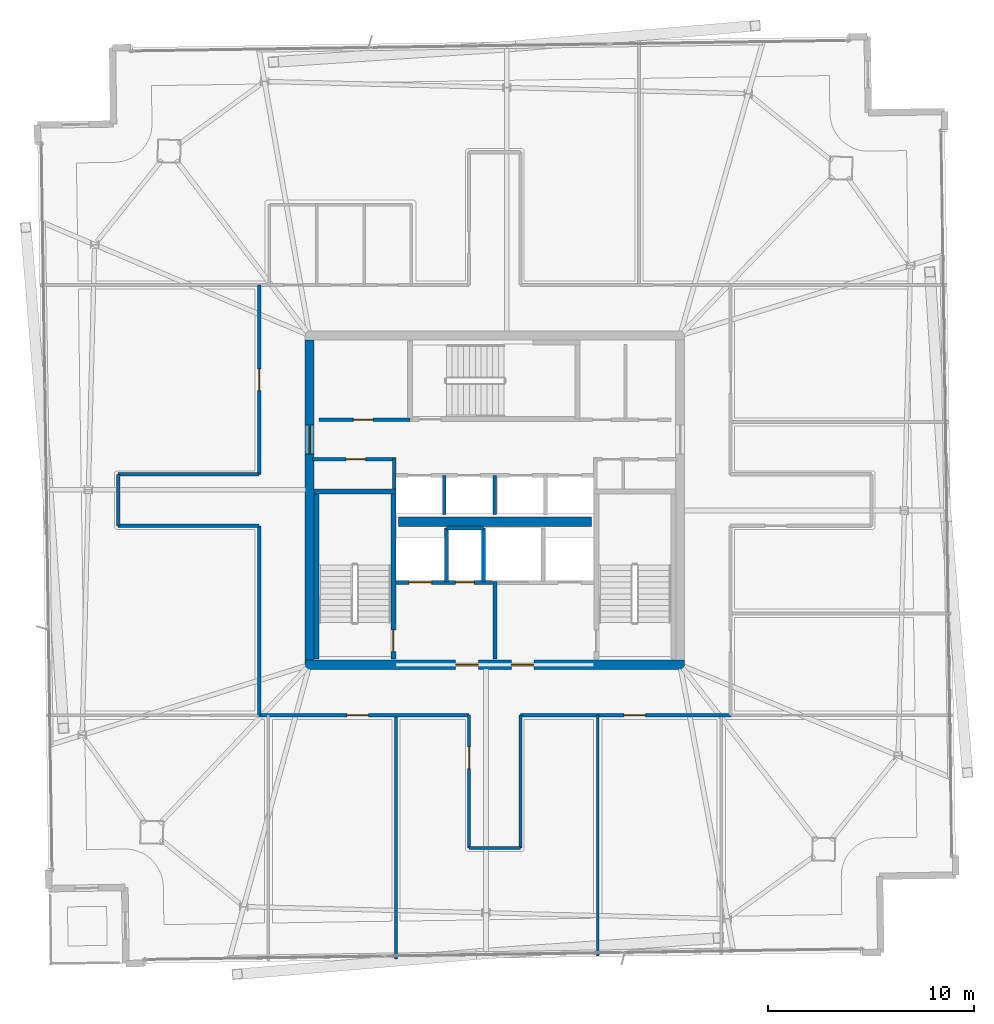
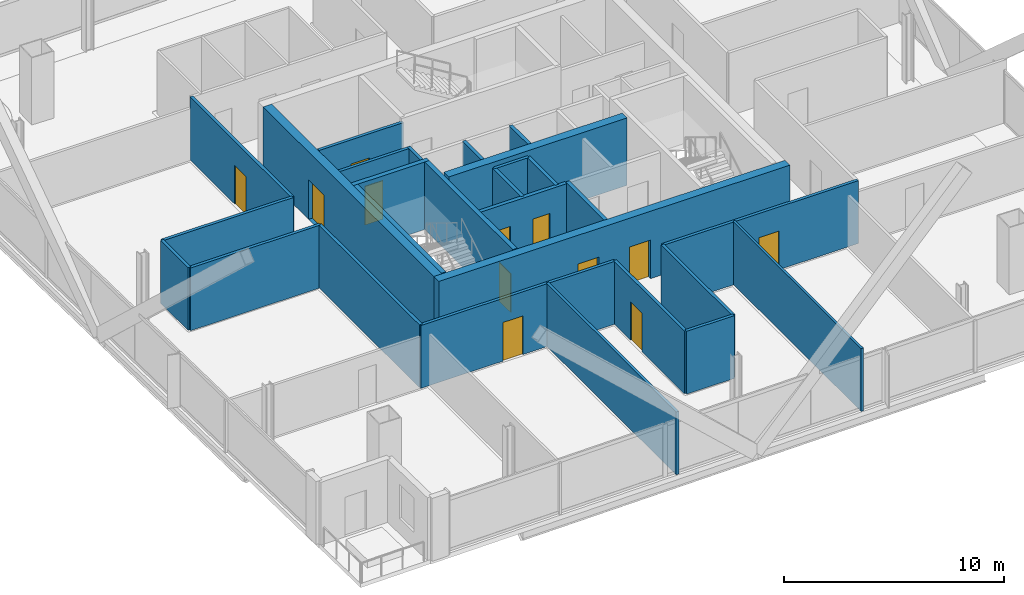
# One storey, part 20 of 25: 28 walls, 12 doors, 12 openings.
"""IFC4 building model written with IfcOpenShell, lengths in metres."""

from ifc_helpers import new_model, si_unit, direction, frame, frame_2d, origin, place, context, subcontext, project, spatial, rectangle, extrude, material, layer, layer_set, type_object, element, fill, save


model = new_model("IFC4")

# Units and contexts
model_context = context("Model", 3, precision=1e-05, world=origin(), true_north=direction((0.0, 1.0)))
body_context = subcontext(model_context, "Body", "Model", "MODEL_VIEW")
ifc_project = project(units=[si_unit("LENGTHUNIT", "METRE"), si_unit("AREAUNIT", "SQUARE_METRE"), si_unit("VOLUMEUNIT", "CUBIC_METRE"), si_unit("PLANEANGLEUNIT", "RADIAN"), si_unit("MASSUNIT", "GRAM", prefix="KILO")], contexts=[model_context])

# Site, building, storey
site_placement = place(None, origin())
site = spatial("IfcSite", under=ifc_project, at=site_placement, CompositionType="ELEMENT")
building_placement = place(site_placement, origin())
building = spatial("IfcBuilding", under=site, at=building_placement, Name="Haldenkirk Collegiate Tower", CompositionType="ELEMENT")
storey_placement = place(building_placement, frame((0.0, 0.0, 332.699951171875)))
storey = spatial("IfcBuildingStorey", under=building, at=storey_placement, Name="L84", CompositionType="ELEMENT", Elevation=332.699951171875)

# Wall, openings, doors
ifc_material_1 = material(Name="Concrete f'c 55 MPa", Category="concrete")
ifc_layer_1 = layer(ifc_material_1, 0.449951171875)
ifc_layer_set_1 = layer_set([ifc_layer_1], Name="Concrete f'c 55 MPa")
wall_type_1 = type_object("IfcWallType", Name="WL-CORE-450", PredefinedType="SHEAR", material=ifc_layer_set_1)
wall_1_placement = place(storey_placement, frame((26.77490234375, 18.0, 0.0), z_axis=(0.0, 0.0, 1.0), x_axis=(1.0, 0.0, 0.0)))
wall_1 = element("IfcWall", 1, at=wall_1_placement, inside=storey, type_object=wall_type_1, Name="L84 central core shear wall S", PredefinedType="SHEAR", context=body_context, shape_type="SweptSolid", body=[
    extrude(rectangle(XDim=18.4501953125, YDim=0.449951171875, at=frame_2d((9.22509765625, 0.0))), origin(), (0.0, 0.0, 1.0), 3.75),
])
opening_1_placement = place(wall_1_placement, frame((7.324951171875, 0.0, 0.0)))
opening_1 = element("IfcOpeningElement", 2, at=opening_1_placement, cuts=wall_1, Name="Opening D-02", PredefinedType="OPENING", context=body_context, shape_type="SweptSolid", body=[
    extrude(rectangle(XDim=1.10009765625, YDim=2.14990234375, at=frame_2d((0.550048828125, 1.074951171875))), frame((0.0, 0.23486328125, 0.0), z_axis=(0.0, -1.0, 0.0), x_axis=(1.0, 0.0, 0.0)), (0.0, 0.0, 1.0), 0.469970703125),
])
opening_2_placement = place(wall_1_placement, frame((10.02490234375, 0.0, 0.0)))
opening_2 = element("IfcOpeningElement", 3, at=opening_2_placement, cuts=wall_1, Name="Opening D-02", PredefinedType="OPENING", context=body_context, shape_type="SweptSolid", body=[
    extrude(rectangle(XDim=1.10009765625, YDim=2.14990234375, at=frame_2d((0.550048828125, 1.074951171875))), frame((0.0, 0.23486328125, 0.0), z_axis=(0.0, -1.0, 0.0), x_axis=(1.0, 0.0, 0.0)), (0.0, 0.0, 1.0), 0.469970703125),
])
ifc_material_2 = material(Name="Galvanized fire-rated hollow steel door", Category="steel")
ifc_layer_2 = layer(ifc_material_2, 0.06005859375)
ifc_layer_set_2 = layer_set([ifc_layer_2], Name="Galvanized fire-rated hollow steel door")
door_type_1 = type_object("IfcDoorType", Name="DR-STAIR-FD90-1100", OperationType="NOTDEFINED", PredefinedType="DOOR", material=ifc_layer_set_2)
door_1_placement = place(opening_1_placement, origin())
door_1 = element("IfcDoor", 4, at=door_1_placement, inside=storey, type_object=door_type_1, Name="L84 Firefighting Lobby 1 door", OperationType="SINGLE_SWING_LEFT", OverallHeight=2.14990234375, OverallWidth=1.10009765625, PredefinedType="DOOR", context=body_context, shape_type="SweptSolid", body=[
    extrude(rectangle(XDim=1.10009765625, YDim=2.14990234375, at=frame_2d((0.550048828125, 1.074951171875))), frame((0.0, 0.02490234375, 0.0), z_axis=(0.0, -1.0, 0.0), x_axis=(1.0, 0.0, 0.0)), (0.0, 0.0, 1.0), 0.050048828125),
])
fill(opening_1, door_1)
door_2_placement = place(opening_2_placement, origin())
door_2 = element("IfcDoor", 5, at=door_2_placement, inside=storey, type_object=door_type_1, Name="L84 Firefighting Lobby 2 door", OperationType="SINGLE_SWING_RIGHT", OverallHeight=2.14990234375, OverallWidth=1.10009765625, PredefinedType="DOOR", context=body_context, shape_type="SweptSolid", body=[
    extrude(rectangle(XDim=1.10009765625, YDim=2.14990234375, at=frame_2d((0.550048828125, 1.074951171875))), frame((0.0, 0.02490234375, 0.0), z_axis=(0.0, -1.0, 0.0), x_axis=(1.0, 0.0, 0.0)), (0.0, 0.0, 1.0), 0.050048828125),
])
fill(opening_2, door_2)

# Wall, opening, door
wall_2_placement = place(storey_placement, frame((27.0, 18.22509765625, 0.0), z_axis=(0.0, 0.0, 1.0), x_axis=(0.0, 1.0, 0.0)))
wall_2 = element("IfcWall", 6, at=wall_2_placement, inside=storey, type_object=wall_type_1, Name="L84 central core shear wall W", PredefinedType="SHEAR", context=body_context, shape_type="SweptSolid", body=[
    extrude(rectangle(XDim=15.5498046875, YDim=0.449951171875, at=frame_2d((7.77490234375, 0.0))), origin(), (0.0, 0.0, 1.0), 3.75),
])
opening_3_placement = place(wall_2_placement, frame((10.014892578125, 0.0, 0.0)))
opening_3 = element("IfcOpeningElement", 7, at=opening_3_placement, cuts=wall_2, Name="Opening D-03", PredefinedType="OPENING", context=body_context, shape_type="SweptSolid", body=[
    extrude(rectangle(XDim=1.39990234375, YDim=2.199951171875, at=frame_2d((0.699951171875, 1.10009765625))), frame((0.0, 0.23486328125, 0.0), z_axis=(0.0, -1.0, 0.0), x_axis=(1.0, 0.0, 0.0)), (0.0, 0.0, 1.0), 0.469970703125),
])
ifc_layer_3 = layer(ifc_material_2, 0.06005859375)
ifc_layer_set_3 = layer_set([ifc_layer_3], Name="Galvanized fire-rated hollow steel door")
door_type_2 = type_object("IfcDoorType", Name="DR-LOBBY-FD90-1400", OperationType="NOTDEFINED", PredefinedType="DOOR", material=ifc_layer_set_3)
door_3_placement = place(opening_3_placement, origin())
door_3 = element("IfcDoor", 8, at=door_3_placement, inside=storey, type_object=door_type_2, Name="L84 west lift lobby portal", OperationType="DOUBLE_DOOR_SINGLE_SWING", OverallHeight=2.199951171875, OverallWidth=1.39990234375, PredefinedType="DOOR", context=body_context, shape_type="SweptSolid", body=[
    extrude(rectangle(XDim=1.39990234375, YDim=2.199951171875, at=frame_2d((0.699951171875, 1.10009765625))), frame((0.0, 0.02490234375, 0.0), z_axis=(0.0, -1.0, 0.0), x_axis=(1.0, 0.0, 0.0)), (0.0, 0.0, 1.0), 0.050048828125),
])
fill(opening_3, door_3)

# Wall
wall_3_placement = place(storey_placement, frame((31.31005859375, 24.949951171875, 0.0), z_axis=(0.0, 0.0, 1.0), x_axis=(1.0, 0.0, 0.0)))
element("IfcWall", 9, at=wall_3_placement, inside=storey, type_object=wall_type_1, Name="L84 central core spine shear wall", PredefinedType="SHEAR", context=body_context, shape_type="SweptSolid", body=[
    extrude(rectangle(XDim=9.3798828125, YDim=0.449951171875, at=frame_2d((4.68994140625, 0.0))), origin(), (0.0, 0.0, 1.0), 3.75),
])

# Wall, opening, door
ifc_material_3 = material(Name="Acoustic fire-rated gypsum partition", Category="concrete")
ifc_layer_4 = layer(ifc_material_3, 0.159912109375)
ifc_layer_set_4 = layer_set([ifc_layer_4], Name="Acoustic fire-rated gypsum partition")
wall_type_2 = type_object("IfcWallType", Name="WL-INT-CORR-160", PredefinedType="PARTITIONING", material=ifc_layer_set_4)
wall_4_placement = place(storey_placement, frame((27.14990234375, 27.97998046875, 0.0), z_axis=(0.0, 0.0, 1.0), x_axis=(1.0, 0.0, 0.0)))
wall_4 = element("IfcWall", 10, at=wall_4_placement, inside=storey, type_object=wall_type_2, Name="L84 interior partition IW-L84-VCSW-N", PredefinedType="PARTITIONING", context=body_context, shape_type="SweptSolid", body=[
    extrude(rectangle(XDim=4.050048828125, YDim=0.159912109375, at=frame_2d((2.02490234375, 0.0))), origin(), (0.0, 0.0, 1.0), 3.489990234375),
])
opening_4_placement = place(wall_4_placement, frame((1.625, 0.0, 0.0)))
opening_4 = element("IfcOpeningElement", 11, at=opening_4_placement, cuts=wall_4, Name="Opening D-10", PredefinedType="OPENING", context=body_context, shape_type="SweptSolid", body=[
    extrude(rectangle(XDim=0.949951171875, YDim=2.14990234375, at=frame_2d((0.47509765625, 1.074951171875))), frame((0.0, 0.08984375, 0.0), z_axis=(0.0, -1.0, 0.0), x_axis=(1.0, 0.0, 0.0)), (0.0, 0.0, 1.0), 0.179931640625),
])
ifc_material_4 = material(Name="Solid-core architectural oak fire door", Category="wood")
ifc_layer_5 = layer(ifc_material_4, 0.06005859375)
ifc_layer_set_5 = layer_set([ifc_layer_5], Name="Solid-core architectural oak fire door")
door_type_3 = type_object("IfcDoorType", Name="DR-INT-FD60-950", OperationType="NOTDEFINED", PredefinedType="DOOR", material=ifc_layer_set_5)
door_4_placement = place(opening_4_placement, origin())
door_4 = element("IfcDoor", 12, at=door_4_placement, inside=storey, type_object=door_type_3, Name="L84 core tea pantry door", OperationType="SINGLE_SWING_RIGHT", OverallHeight=2.14990234375, OverallWidth=0.949951171875, PredefinedType="DOOR", context=body_context, shape_type="SweptSolid", body=[
    extrude(rectangle(XDim=0.949951171875, YDim=2.14990234375, at=frame_2d((0.47509765625, 1.074951171875))), frame((0.0, 0.02490234375, 0.0), z_axis=(0.0, -1.0, 0.0), x_axis=(1.0, 0.0, 0.0)), (0.0, 0.0, 1.0), 0.050048828125),
])
fill(opening_4, door_4)

# Wall
wall_5_placement = place(storey_placement, frame((31.1201171875, 26.5400390625, 0.0), z_axis=(0.0, 0.0, 1.0), x_axis=(0.0, 1.0, 0.0)))
element("IfcWall", 13, at=wall_5_placement, inside=storey, type_object=wall_type_2, Name="L84 interior partition IW-L84-VCSW-E", PredefinedType="PARTITIONING", context=body_context, shape_type="SweptSolid", body=[
    extrude(rectangle(XDim=1.510009765625, YDim=0.159912109375, at=frame_2d((0.7548828125, 0.0))), origin(), (0.0, 0.0, 1.0), 3.489990234375),
])

# Wall, opening, door
wall_6_placement = place(storey_placement, frame((27.449951171875, 29.89990234375, 0.0), z_axis=(0.0, 0.0, 1.0), x_axis=(1.0, 0.0, 0.0)))
wall_6 = element("IfcWall", 14, at=wall_6_placement, inside=storey, type_object=wall_type_2, Name="L84 interior partition IW-L84-PLS", PredefinedType="PARTITIONING", context=body_context, shape_type="SweptSolid", body=[
    extrude(rectangle(XDim=4.429931640625, YDim=0.159912109375, at=frame_2d((2.21484375, 0.0))), origin(), (0.0, 0.0, 1.0), 3.489990234375),
])
opening_5_placement = place(wall_6_placement, frame((1.675048828125, 0.0, 0.0)))
opening_5 = element("IfcOpeningElement", 15, at=opening_5_placement, cuts=wall_6, Name="Opening D-10", PredefinedType="OPENING", context=body_context, shape_type="SweptSolid", body=[
    extrude(rectangle(XDim=0.949951171875, YDim=2.14990234375, at=frame_2d((0.47509765625, 1.074951171875))), frame((0.0, 0.08984375, 0.0), z_axis=(0.0, -1.0, 0.0), x_axis=(1.0, 0.0, 0.0)), (0.0, 0.0, 1.0), 0.179931640625),
])
door_5_placement = place(opening_5_placement, origin())
door_5 = element("IfcDoor", 16, at=door_5_placement, inside=storey, type_object=door_type_3, Name="L84 archive door", OperationType="SINGLE_SWING_LEFT", OverallHeight=2.14990234375, OverallWidth=0.949951171875, PredefinedType="DOOR", context=body_context, shape_type="SweptSolid", body=[
    extrude(rectangle(XDim=0.949951171875, YDim=2.14990234375, at=frame_2d((0.47509765625, 1.074951171875))), frame((0.0, 0.02490234375, 0.0), z_axis=(0.0, -1.0, 0.0), x_axis=(1.0, 0.0, 0.0)), (0.0, 0.0, 1.0), 0.050048828125),
])
fill(opening_5, door_5)

wall_7_placement = place(storey_placement, frame((24.5, 15.550048828125, 0.0), z_axis=(0.0, 0.0, 1.0), x_axis=(1.0, 0.0, 0.0)))
wall_7 = element("IfcWall", 17, at=wall_7_placement, inside=storey, type_object=wall_type_2, Name="L84 interior partition IW-L84-CS1", PredefinedType="PARTITIONING", context=body_context, shape_type="SweptSolid", body=[
    extrude(rectangle(XDim=10.25, YDim=0.159912109375, at=frame_2d((5.125, 0.0))), origin(), (0.0, 0.0, 1.0), 3.489990234375),
])
opening_6_placement = place(wall_7_placement, frame((4.31103515625, 0.0, 0.0)))
opening_6 = element("IfcOpeningElement", 18, at=opening_6_placement, cuts=wall_7, Name="Opening D-09", PredefinedType="OPENING", context=body_context, shape_type="SweptSolid", body=[
    extrude(rectangle(XDim=1.050048828125, YDim=2.14990234375, at=frame_2d((0.52490234375, 1.074951171875))), frame((0.0, 0.08984375, 0.0), z_axis=(0.0, -1.0, 0.0), x_axis=(1.0, 0.0, 0.0)), (0.0, 0.0, 1.0), 0.179931640625),
])
ifc_layer_6 = layer(ifc_material_4, 0.06005859375)
ifc_layer_set_6 = layer_set([ifc_layer_6], Name="Solid-core architectural oak fire door")
door_type_4 = type_object("IfcDoorType", Name="DR-INT-FD60-1050", OperationType="NOTDEFINED", PredefinedType="DOOR", material=ifc_layer_set_6)
door_6_placement = place(opening_6_placement, origin())
door_6 = element("IfcDoor", 19, at=door_6_placement, inside=storey, type_object=door_type_4, Name="L84 Computational Design Studio 2 door", OperationType="SINGLE_SWING_RIGHT", OverallHeight=2.14990234375, OverallWidth=1.050048828125, PredefinedType="DOOR", context=body_context, shape_type="SweptSolid", body=[
    extrude(rectangle(XDim=1.050048828125, YDim=2.14990234375, at=frame_2d((0.52490234375, 1.074951171875))), frame((0.0, 0.02490234375, 0.0), z_axis=(0.0, -1.0, 0.0), x_axis=(1.0, 0.0, 0.0)), (0.0, 0.0, 1.0), 0.050048828125),
])
fill(opening_6, door_6)

wall_8_placement = place(storey_placement, frame((37.25, 15.550048828125, 0.0), z_axis=(0.0, 0.0, 1.0), x_axis=(1.0, 0.0, 0.0)))
wall_8 = element("IfcWall", 20, at=wall_8_placement, inside=storey, type_object=wall_type_2, Name="L84 interior partition IW-L84-CS2", PredefinedType="PARTITIONING", context=body_context, shape_type="SweptSolid", body=[
    extrude(rectangle(XDim=10.25, YDim=0.159912109375, at=frame_2d((5.125, 0.0))), origin(), (0.0, 0.0, 1.0), 3.489990234375),
])
opening_7_placement = place(wall_8_placement, frame((5.02490234375, 0.0, 0.0)))
opening_7 = element("IfcOpeningElement", 21, at=opening_7_placement, cuts=wall_8, Name="Opening D-09", PredefinedType="OPENING", context=body_context, shape_type="SweptSolid", body=[
    extrude(rectangle(XDim=1.050048828125, YDim=2.14990234375, at=frame_2d((0.52490234375, 1.074951171875))), frame((0.0, 0.08984375, 0.0), z_axis=(0.0, -1.0, 0.0), x_axis=(1.0, 0.0, 0.0)), (0.0, 0.0, 1.0), 0.179931640625),
])
door_7_placement = place(opening_7_placement, origin())
door_7 = element("IfcDoor", 22, at=door_7_placement, inside=storey, type_object=door_type_4, Name="L84 Environmental Lab 4 door", OperationType="SINGLE_SWING_RIGHT", OverallHeight=2.14990234375, OverallWidth=1.050048828125, PredefinedType="DOOR", context=body_context, shape_type="SweptSolid", body=[
    extrude(rectangle(XDim=1.050048828125, YDim=2.14990234375, at=frame_2d((0.52490234375, 1.074951171875))), frame((0.0, 0.02490234375, 0.0), z_axis=(0.0, -1.0, 0.0), x_axis=(1.0, 0.0, 0.0)), (0.0, 0.0, 1.0), 0.050048828125),
])
fill(opening_7, door_7)

# Wall
wall_9_placement = place(storey_placement, frame((24.550048828125, 15.550048828125, 0.0), z_axis=(0.0, 0.0, 1.0), x_axis=(0.0, 1.0, 0.0)))
element("IfcWall", 23, at=wall_9_placement, inside=storey, type_object=wall_type_2, Name="L84 interior partition IW-L84-CW1", PredefinedType="PARTITIONING", context=body_context, shape_type="SweptSolid", body=[
    extrude(rectangle(XDim=9.199951171875, YDim=0.159912109375, at=frame_2d((4.60009765625, 0.0))), origin(), (0.0, 0.0, 1.0), 3.489990234375),
])

# Wall, opening, door
wall_10_placement = place(storey_placement, frame((24.550048828125, 27.25, 0.0), z_axis=(0.0, 0.0, 1.0), x_axis=(0.0, 1.0, 0.0)))
wall_10 = element("IfcWall", 24, at=wall_10_placement, inside=storey, type_object=wall_type_2, Name="L84 interior partition IW-L84-CW2", PredefinedType="PARTITIONING", context=body_context, shape_type="SweptSolid", body=[
    extrude(rectangle(XDim=9.199951171875, YDim=0.159912109375, at=frame_2d((4.60009765625, 0.0))), origin(), (0.0, 0.0, 1.0), 3.489990234375),
])
opening_8_placement = place(wall_10_placement, frame((4.074951171875, 0.0, 0.0)))
opening_8 = element("IfcOpeningElement", 25, at=opening_8_placement, cuts=wall_10, Name="Opening D-09", PredefinedType="OPENING", context=body_context, shape_type="SweptSolid", body=[
    extrude(rectangle(XDim=1.050048828125, YDim=2.14990234375, at=frame_2d((0.52490234375, 1.074951171875))), frame((0.0, 0.08984375, 0.0), z_axis=(0.0, -1.0, 0.0), x_axis=(1.0, 0.0, 0.0)), (0.0, 0.0, 1.0), 0.179931640625),
])
door_8_placement = place(opening_8_placement, origin())
door_8 = element("IfcDoor", 26, at=door_8_placement, inside=storey, type_object=door_type_4, Name="L84 Computational Design Studio 8 door", OperationType="SINGLE_SWING_RIGHT", OverallHeight=2.14990234375, OverallWidth=1.050048828125, PredefinedType="DOOR", context=body_context, shape_type="SweptSolid", body=[
    extrude(rectangle(XDim=1.050048828125, YDim=2.14990234375, at=frame_2d((0.52490234375, 1.074951171875))), frame((0.0, 0.02490234375, 0.0), z_axis=(0.0, -1.0, 0.0), x_axis=(1.0, 0.0, 0.0)), (0.0, 0.0, 1.0), 0.050048828125),
])
fill(opening_8, door_8)

wall_11_placement = place(storey_placement, frame((34.75, 9.10009765625, 0.0), z_axis=(0.0, 0.0, 1.0), x_axis=(0.0, 1.0, 0.0)))
wall_11 = element("IfcWall", 27, at=wall_11_placement, inside=storey, type_object=wall_type_2, Name="L84 interior partition IW-L84-SPW", PredefinedType="PARTITIONING", context=body_context, shape_type="SweptSolid", body=[
    extrude(rectangle(XDim=6.449951171875, YDim=0.159912109375, at=frame_2d((3.22509765625, 0.0))), origin(), (0.0, 0.0, 1.0), 3.489990234375),
])
opening_9_placement = place(wall_11_placement, frame((3.861083984375, 0.0, 0.0)))
opening_9 = element("IfcOpeningElement", 28, at=opening_9_placement, cuts=wall_11, Name="Opening D-09", PredefinedType="OPENING", context=body_context, shape_type="SweptSolid", body=[
    extrude(rectangle(XDim=1.050048828125, YDim=2.14990234375, at=frame_2d((0.52490234375, 1.074951171875))), frame((0.0, 0.08984375, 0.0), z_axis=(0.0, -1.0, 0.0), x_axis=(1.0, 0.0, 0.0)), (0.0, 0.0, 1.0), 0.179931640625),
])
door_9_placement = place(opening_9_placement, origin())
door_9 = element("IfcDoor", 29, at=door_9_placement, inside=storey, type_object=door_type_4, Name="L84 Robotics Fabrication Lab 3 door", OperationType="SINGLE_SWING_LEFT", OverallHeight=2.14990234375, OverallWidth=1.050048828125, PredefinedType="DOOR", context=body_context, shape_type="SweptSolid", body=[
    extrude(rectangle(XDim=1.050048828125, YDim=2.14990234375, at=frame_2d((0.52490234375, 1.074951171875))), frame((0.0, 0.02490234375, 0.0), z_axis=(0.0, -1.0, 0.0), x_axis=(1.0, 0.0, 0.0)), (0.0, 0.0, 1.0), 0.050048828125),
])
fill(opening_9, door_9)

# Walls
wall_12_placement = place(storey_placement, frame((37.25, 9.10009765625, 0.0), z_axis=(0.0, 0.0, 1.0), x_axis=(0.0, 1.0, 0.0)))
element("IfcWall", 30, at=wall_12_placement, inside=storey, type_object=wall_type_2, Name="L84 interior partition IW-L84-SPE", PredefinedType="PARTITIONING", context=body_context, shape_type="SweptSolid", body=[
    extrude(rectangle(XDim=6.449951171875, YDim=0.159912109375, at=frame_2d((3.22509765625, 0.0))), origin(), (0.0, 0.0, 1.0), 3.489990234375),
])
wall_13_placement = place(storey_placement, frame((34.75, 9.10009765625, 0.0), z_axis=(0.0, 0.0, 1.0), x_axis=(1.0, 0.0, 0.0)))
element("IfcWall", 31, at=wall_13_placement, inside=storey, type_object=wall_type_2, Name="L84 interior partition IW-L84-SPS", PredefinedType="PARTITIONING", context=body_context, shape_type="SweptSolid", body=[
    extrude(rectangle(XDim=2.5, YDim=0.159912109375, at=frame_2d((1.25, 0.0))), origin(), (0.0, 0.0, 1.0), 3.489990234375),
])
for number, where, z_axis, x_axis, name in (
    (32, (17.699951171875, 24.75, 0.0), (0.0, 0.0, 1.0), (1.0, 0.0, 0.0), "L84 interior partition IW-L84-WPS"),
    (33, (17.699951171875, 27.25, 0.0), (0.0, 0.0, 1.0), (1.0, 0.0, 0.0), "L84 interior partition IW-L84-WPN"),
):
    element("IfcWall", number, at=place(storey_placement, frame(where, z_axis=z_axis, x_axis=x_axis)), inside=storey, type_object=wall_type_2, Name=name, PredefinedType="PARTITIONING", context=body_context, shape_type="SweptSolid", body=[
        extrude(rectangle(XDim=6.85009765625, YDim=0.159912109375, at=frame_2d((3.425048828125, 0.0))), origin(), (0.0, 0.0, 1.0), 3.489990234375),
    ])
wall_14_placement = place(storey_placement, frame((17.699951171875, 24.75, 0.0), z_axis=(0.0, 0.0, 1.0), x_axis=(0.0, 1.0, 0.0)))
element("IfcWall", 34, at=wall_14_placement, inside=storey, type_object=wall_type_2, Name="L84 interior partition IW-L84-WPW", PredefinedType="PARTITIONING", context=body_context, shape_type="SweptSolid", body=[
    extrude(rectangle(XDim=2.5, YDim=0.159912109375, at=frame_2d((1.25, 0.0))), origin(), (0.0, 0.0, 1.0), 3.489990234375),
])
ifc_layer_7 = layer(ifc_material_3, 0.139892578125)
ifc_layer_set_7 = layer_set([ifc_layer_7], Name="Acoustic fire-rated gypsum partition")
wall_type_3 = type_object("IfcWallType", Name="WL-INT-DIV-140", PredefinedType="PARTITIONING", material=ifc_layer_set_7)
wall_15_placement = place(storey_placement, frame((31.199951171875, 3.71630859375, 0.0), z_axis=(0.0, 0.0, 1.0), x_axis=(0.0, 1.0, 0.0)))
element("IfcWall", 35, at=wall_15_placement, inside=storey, type_object=wall_type_3, Name="L84 interior partition IW-L84-RS2", PredefinedType="PARTITIONING", context=body_context, shape_type="SweptSolid", body=[
    extrude(rectangle(XDim=11.833740234375, YDim=0.139892578125, at=frame_2d((5.9169921875, 0.0))), origin(), (0.0, 0.0, 1.0), 3.489990234375),
])
ifc_material_5 = material(Name="Fire-rated gypsum shaftboard assembly", Category="concrete")
ifc_layer_8 = layer(ifc_material_5, 0.179931640625)
ifc_layer_set_8 = layer_set([ifc_layer_8], Name="Fire-rated gypsum shaftboard assembly")
wall_type_4 = type_object("IfcWallType", Name="WL-INT-SHAFT-180", PredefinedType="PARTITIONING", material=ifc_layer_set_8)
for number, where, z_axis, x_axis, name in (
    (36, (33.64990234375, 22.050048828125, 0.0), (0.0, 0.0, 1.0), (0.0, 1.0, 0.0), "L84 interior partition IW-L84-FL1E"),
    (37, (35.449951171875, 22.050048828125, 0.0), (0.0, 0.0, 1.0), (0.0, 1.0, 0.0), "L84 interior partition IW-L84-GL1W"),
):
    element("IfcWall", number, at=place(storey_placement, frame(where, z_axis=z_axis, x_axis=x_axis)), inside=storey, type_object=wall_type_4, Name=name, PredefinedType="PARTITIONING", context=body_context, shape_type="SweptSolid", body=[
        extrude(rectangle(XDim=2.599853515625, YDim=0.179931640625, at=frame_2d((1.2998046875, 0.0))), origin(), (0.0, 0.0, 1.0), 3.489990234375),
    ])
wall_16_placement = place(storey_placement, frame((33.64990234375, 24.64990234375, 0.0), z_axis=(0.0, 0.0, 1.0), x_axis=(1.0, 0.0, 0.0)))
element("IfcWall", 38, at=wall_16_placement, inside=storey, type_object=wall_type_4, Name="L84 interior partition IW-L84-RSRN", PredefinedType="PARTITIONING", context=body_context, shape_type="SweptSolid", body=[
    extrude(rectangle(XDim=1.800048828125, YDim=0.179931640625, at=frame_2d((0.89990234375, 0.0))), origin(), (0.0, 0.0, 1.0), 3.489990234375),
])
for number, where, z_axis, x_axis, name in (
    (39, (33.5400390625, 25.300048828125, 0.0), (0.0, 0.0, 1.0), (0.0, 1.0, 0.0), "L84 interior partition IW-L84-PHV1"),
    (40, (36.0, 25.300048828125, 0.0), (0.0, 0.0, 1.0), (0.0, 1.0, 0.0), "L84 interior partition IW-L84-PHV2"),
):
    element("IfcWall", number, at=place(storey_placement, frame(where, z_axis=z_axis, x_axis=x_axis)), inside=storey, type_object=wall_type_4, Name=name, PredefinedType="PARTITIONING", context=body_context, shape_type="SweptSolid", body=[
        extrude(rectangle(XDim=1.89990234375, YDim=0.179931640625, at=frame_2d((0.949951171875, 0.0))), origin(), (0.0, 0.0, 1.0), 3.489990234375),
    ])
ifc_layer_9 = layer(ifc_material_5, 0.199951171875)
ifc_layer_set_9 = layer_set([ifc_layer_9], Name="Fire-rated gypsum shaftboard assembly")
wall_type_5 = type_object("IfcWallType", Name="WL-INT-SHAFT-200", PredefinedType="PARTITIONING", material=ifc_layer_set_9)
wall_17_placement = place(storey_placement, frame((36.0, 18.280029296875, 0.0), z_axis=(0.0, 0.0, 1.0), x_axis=(0.0, 1.0, 0.0)))
element("IfcWall", 41, at=wall_17_placement, inside=storey, type_object=wall_type_5, Name="L84 interior partition IW-L84-FFLM", PredefinedType="PARTITIONING", context=body_context, shape_type="SweptSolid", body=[
    extrude(rectangle(XDim=3.77001953125, YDim=0.199951171875, at=frame_2d((1.885009765625, 0.0))), origin(), (0.0, 0.0, 1.0), 3.489990234375),
])

# Wall, openings, doors
wall_18_placement = place(storey_placement, frame((31.18994140625, 22.0, 0.0), z_axis=(0.0, 0.0, 1.0), x_axis=(1.0, 0.0, 0.0)))
wall_18 = element("IfcWall", 42, at=wall_18_placement, inside=storey, type_object=wall_type_5, Name="L84 interior partition IW-L84-FFL1N", PredefinedType="PARTITIONING", context=body_context, shape_type="SweptSolid", body=[
    extrude(rectangle(XDim=4.68994140625, YDim=0.199951171875, at=frame_2d((2.344970703125, 0.0))), origin(), (0.0, 0.0, 1.0), 3.489990234375),
])
opening_10_placement = place(wall_18_placement, frame((2.909912109375, 0.0, 0.0)))
opening_10 = element("IfcOpeningElement", 43, at=opening_10_placement, cuts=wall_18, Name="Opening D-06", PredefinedType="OPENING", context=body_context, shape_type="SweptSolid", body=[
    extrude(rectangle(XDim=0.89990234375, YDim=2.14990234375, at=frame_2d((0.449951171875, 1.074951171875))), frame((0.0, 0.10986328125, 0.0), z_axis=(0.0, -1.0, 0.0), x_axis=(1.0, 0.0, 0.0)), (0.0, 0.0, 1.0), 0.219970703125),
])
opening_11_placement = place(wall_18_placement, frame((0.635009765625, 0.0, 0.0)))
opening_11 = element("IfcOpeningElement", 44, at=opening_11_placement, cuts=wall_18, Name="Opening LD-12", PredefinedType="OPENING", context=body_context, shape_type="SweptSolid", body=[
    extrude(rectangle(XDim=1.10009765625, YDim=2.14990234375, at=frame_2d((0.550048828125, 1.074951171875))), frame((0.0, 0.10986328125, 0.0), z_axis=(0.0, -1.0, 0.0), x_axis=(1.0, 0.0, 0.0)), (0.0, 0.0, 1.0), 0.219970703125),
])
ifc_layer_10 = layer(ifc_material_2, 0.06005859375)
ifc_layer_set_10 = layer_set([ifc_layer_10], Name="Galvanized fire-rated hollow steel door")
door_type_5 = type_object("IfcDoorType", Name="DR-INT-FD90-900", OperationType="NOTDEFINED", PredefinedType="DOOR", material=ifc_layer_set_10)
door_10_placement = place(opening_10_placement, origin())
door_10 = element("IfcDoor", 45, at=door_10_placement, inside=storey, type_object=door_type_5, Name="L84 electrical riser door", OperationType="SINGLE_SWING_LEFT", OverallHeight=2.14990234375, OverallWidth=0.89990234375, PredefinedType="DOOR", context=body_context, shape_type="SweptSolid", body=[
    extrude(rectangle(XDim=0.89990234375, YDim=2.14990234375, at=frame_2d((0.449951171875, 1.074951171875))), frame((0.0, 0.02490234375, 0.0), z_axis=(0.0, -1.0, 0.0), x_axis=(1.0, 0.0, 0.0)), (0.0, 0.0, 1.0), 0.050048828125),
])
fill(opening_10, door_10)
ifc_material_6 = material(Name="Brushed architectural stainless steel", Category="steel")
ifc_layer_11 = layer(ifc_material_6, 0.06005859375)
ifc_layer_set_11 = layer_set([ifc_layer_11], Name="Brushed architectural stainless steel")
door_type_6 = type_object("IfcDoorType", Name="LD-FIRE-1100", OperationType="NOTDEFINED", PredefinedType="DOOR", material=ifc_layer_set_11)
door_11_placement = place(opening_11_placement, origin())
door_11 = element("IfcDoor", 46, at=door_11_placement, inside=storey, type_object=door_type_6, Name="L84 Elevator FL1 sliding landing door", OperationType="SLIDING_TO_LEFT", OverallHeight=2.14990234375, OverallWidth=1.10009765625, PredefinedType="DOOR", context=body_context, shape_type="SweptSolid", body=[
    extrude(rectangle(XDim=1.10009765625, YDim=2.14990234375, at=frame_2d((0.550048828125, 1.074951171875))), frame((0.0, 0.02490234375, 0.0), z_axis=(0.0, -1.0, 0.0), x_axis=(1.0, 0.0, 0.0)), (0.0, 0.0, 1.0), 0.050048828125),
])
fill(opening_11, door_11)

# Wall
ifc_layer_12 = layer(ifc_material_3, 0.1201171875)
ifc_layer_set_12 = layer_set([ifc_layer_12], Name="Acoustic fire-rated gypsum partition")
wall_type_6 = type_object("IfcWallType", Name="WL-INT-WET-120", PredefinedType="PARTITIONING", material=ifc_layer_set_12)
wall_19_placement = place(storey_placement, frame((41.0, 3.86181640625, 0.0), z_axis=(0.0, 0.0, 1.0), x_axis=(0.0, 1.0, 0.0)))
element("IfcWall", 47, at=wall_19_placement, inside=storey, type_object=wall_type_6, Name="L84 interior partition IW-L84-RS3", PredefinedType="PARTITIONING", context=body_context, shape_type="SweptSolid", body=[
    extrude(rectangle(XDim=11.688232421875, YDim=0.1201171875, at=frame_2d((5.84423828125, 0.0))), origin(), (0.0, 0.0, 1.0), 3.489990234375),
])

# Wall, opening, door
ifc_layer_13 = layer(ifc_material_1, 0.239990234375)
ifc_layer_set_13 = layer_set([ifc_layer_13], Name="Concrete f'c 55 MPa")
wall_type_7 = type_object("IfcWallType", Name="WL-SHAFT-240", PredefinedType="SHEAR", material=ifc_layer_set_13)
wall_20_placement = place(storey_placement, frame((31.070068359375, 18.280029296875, 0.0), z_axis=(0.0, 0.0, 1.0), x_axis=(0.0, 1.0, 0.0)))
wall_20 = element("IfcWall", 48, at=wall_20_placement, inside=storey, type_object=wall_type_7, Name="L84 stair shaft shear wall SW-L84-ST1E", PredefinedType="SHEAR", context=body_context, shape_type="SweptSolid", body=[
    extrude(rectangle(XDim=8.260009765625, YDim=0.239990234375, at=frame_2d((4.1298828125, 0.0))), origin(), (0.0, 0.0, 1.0), 3.75),
])
opening_12_placement = place(wall_20_placement, frame((0.364990234375, 0.0, 0.0)))
opening_12 = element("IfcOpeningElement", 49, at=opening_12_placement, cuts=wall_20, Name="Opening D-01", PredefinedType="OPENING", context=body_context, shape_type="SweptSolid", body=[
    extrude(rectangle(XDim=1.050048828125, YDim=2.14990234375, at=frame_2d((0.52490234375, 1.074951171875))), frame((0.0, 0.1298828125, 0.0), z_axis=(0.0, -1.0, 0.0), x_axis=(1.0, 0.0, 0.0)), (0.0, 0.0, 1.0), 0.260009765625),
])
ifc_layer_14 = layer(ifc_material_2, 0.06005859375)
ifc_layer_set_14 = layer_set([ifc_layer_14], Name="Galvanized fire-rated hollow steel door")
door_type_7 = type_object("IfcDoorType", Name="DR-STAIR-FD90-1050", OperationType="NOTDEFINED", PredefinedType="DOOR", material=ifc_layer_set_14)
door_12_placement = place(opening_12_placement, origin())
door_12 = element("IfcDoor", 50, at=door_12_placement, inside=storey, type_object=door_type_7, Name="L84 Stair 1 door", OperationType="SINGLE_SWING_LEFT", OverallHeight=2.14990234375, OverallWidth=1.050048828125, PredefinedType="DOOR", context=body_context, shape_type="SweptSolid", body=[
    extrude(rectangle(XDim=1.050048828125, YDim=2.14990234375, at=frame_2d((0.52490234375, 1.074951171875))), frame((0.0, 0.02490234375, 0.0), z_axis=(0.0, -1.0, 0.0), x_axis=(1.0, 0.0, 0.0)), (0.0, 0.0, 1.0), 0.050048828125),
])
fill(opening_12, door_12)

# Walls
wall_21_placement = place(storey_placement, frame((27.2099609375, 26.419921875, 0.0), z_axis=(0.0, 0.0, 1.0), x_axis=(1.0, 0.0, 0.0)))
element("IfcWall", 51, at=wall_21_placement, inside=storey, type_object=wall_type_7, Name="L84 stair shaft shear wall SW-L84-ST1N", PredefinedType="SHEAR", context=body_context, shape_type="SweptSolid", body=[
    extrude(rectangle(XDim=3.97998046875, YDim=0.239990234375, at=frame_2d((1.989990234375, 0.0))), origin(), (0.0, 0.0, 1.0), 3.75),
])
wall_22_placement = place(storey_placement, frame((27.330078125, 18.280029296875, 0.0), z_axis=(0.0, 0.0, 1.0), x_axis=(0.0, 1.0, 0.0)))
element("IfcWall", 52, at=wall_22_placement, inside=storey, type_object=wall_type_7, Name="L84 stair shaft shear wall SW-L84-ST1W", PredefinedType="SHEAR", context=body_context, shape_type="SweptSolid", body=[
    extrude(rectangle(XDim=8.260009765625, YDim=0.239990234375, at=frame_2d((4.1298828125, 0.0))), origin(), (0.0, 0.0, 1.0), 3.75),
])

save(model, "model.ifc")
